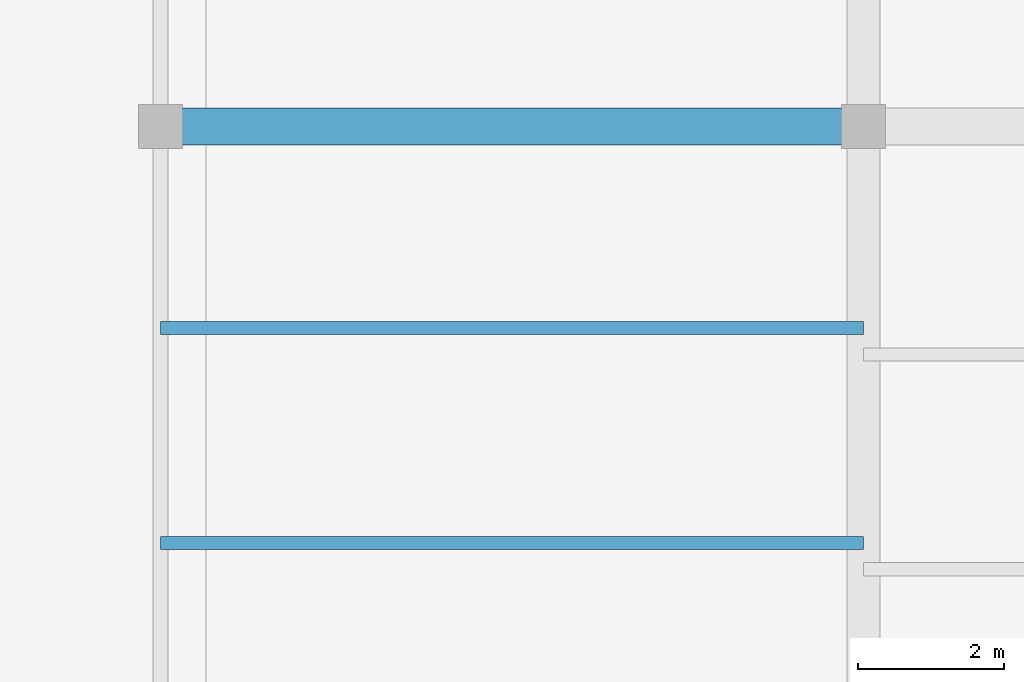
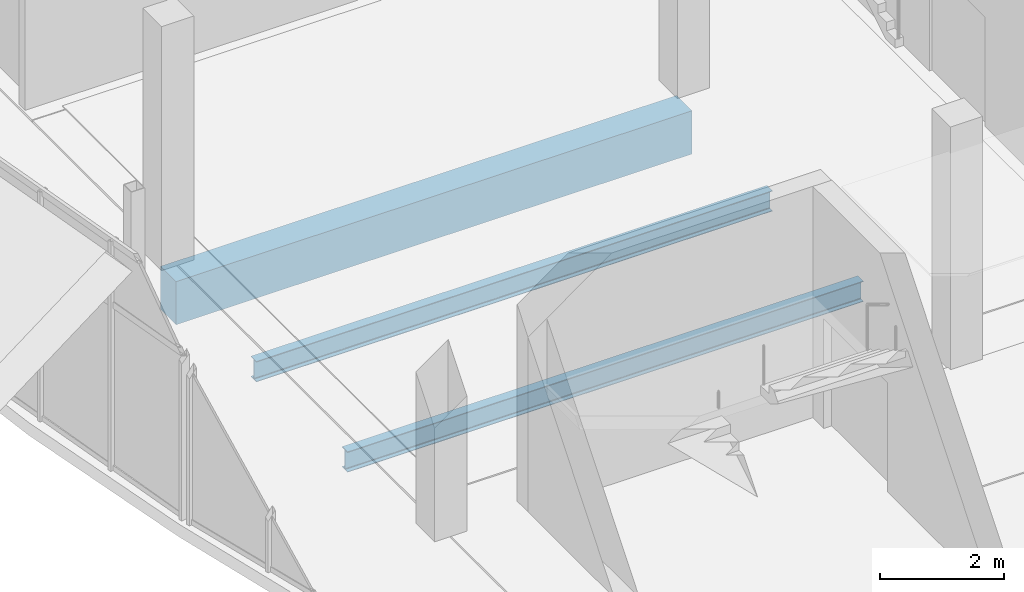
# One storey, part 20 of 116: 3 beams.
"""IFC4 building model written with IfcOpenShell, lengths in metres."""

from ifc_helpers import new_model, si_unit, direction, frame, origin, origin_2d, place, context, subcontext, project, spatial, rectangle, i_section, extrude, material, material_profile, profile_set, type_object, element, save


model = new_model("IFC4")

# Units and contexts
model_context = context("Model", 3, precision=1e-05, world=origin(), true_north=direction((0.0, 1.0)))
body_context = subcontext(model_context, "Body", "Model", "MODEL_VIEW")
ifc_project = project(units=[si_unit("LENGTHUNIT", "METRE"), si_unit("AREAUNIT", "SQUARE_METRE"), si_unit("VOLUMEUNIT", "CUBIC_METRE"), si_unit("PLANEANGLEUNIT", "RADIAN"), si_unit("MASSUNIT", "GRAM", prefix="KILO")], contexts=[model_context])

# Site, building, storey
site_placement = place(None, origin())
site = spatial("IfcSite", under=ifc_project, at=site_placement, CompositionType="ELEMENT")
building_placement = place(site_placement, origin())
building = spatial("IfcBuilding", under=site, at=building_placement, Name="Chalmorin Arch Market", CompositionType="ELEMENT")
storey_placement = place(building_placement, origin())
storey = spatial("IfcBuildingStorey", under=building, at=storey_placement, Name="L00", CompositionType="ELEMENT", Elevation=0.0)

# Beams
ifc_material_1 = material(Name="Concrete C40/50", Category="concrete")
ifc_material_profile_1 = material_profile(ifc_material_1, rectangle(XDim=0.5, YDim=0.85009765625, at=origin_2d()), Name="RC500X850")
ifc_profile_set_1 = profile_set([ifc_material_profile_1], Name="Concrete C40/50")
beam_type_1 = type_object("IfcBeamType", Name="PlinthConcreteGirder-500x850", PredefinedType="BEAM", material=ifc_profile_set_1)
beam_placement = place(storey_placement, frame((0.0, 23.60009765625, -0.777099609375), z_axis=(1.0, 0.0, 0.0), x_axis=(0.0, 1.0, 0.0)))
element("IfcBeam", 1, at=beam_placement, inside=storey, type_object=beam_type_1, Name="BG-RC1-0205", PredefinedType="BEAM", context=body_context, shape_type="SweptSolid", body=[
    extrude(rectangle(XDim=0.5, YDim=0.85009765625, at=origin_2d()), origin(), (0.0, 0.0, 1.0), 9.60009765625),
])
ifc_material_2 = material(Name="Steel A992 Grade 50", Category="steel")
ifc_material_profile_2 = material_profile(ifc_material_2, i_section(OverallWidth=0.177978515625, OverallDepth=0.403076171875, WebThickness=0.007568359375, FlangeThickness=0.010986328125, FilletRadius=0.01806640625, at=origin_2d()), Name="W16X36")
ifc_profile_set_2 = profile_set([ifc_material_profile_2], Name="Steel A992 Grade 50")
beam_type_2 = type_object("IfcBeamType", Name="SecondaryFloorJoist-W16X36", PredefinedType="JOIST", material=ifc_profile_set_2)
for number, where, z_axis, x_axis, name in (
    (2, (0.0, 17.913330078125, -0.553466796875), (1.0, 0.0, 0.0), (0.0, 1.0, 0.0), "BJ-W16B-0250"),
    (3, (0.0, 20.8466796875, -0.553466796875), (1.0, 0.0, 0.0), (0.0, 1.0, 0.0), "BJ-W16B-0251"),
):
    element("IfcBeam", number, at=place(storey_placement, frame(where, z_axis=z_axis, x_axis=x_axis)), inside=storey, type_object=beam_type_2, Name=name, PredefinedType="JOIST", context=body_context, shape_type="SweptSolid", body=[
        extrude(i_section(OverallWidth=0.177978515625, OverallDepth=0.403076171875, WebThickness=0.007568359375, FlangeThickness=0.010986328125, FilletRadius=0.01806640625, at=origin_2d()), origin(), (0.0, 0.0, 1.0), 9.60009765625),
    ])

save(model, "model.ifc")
